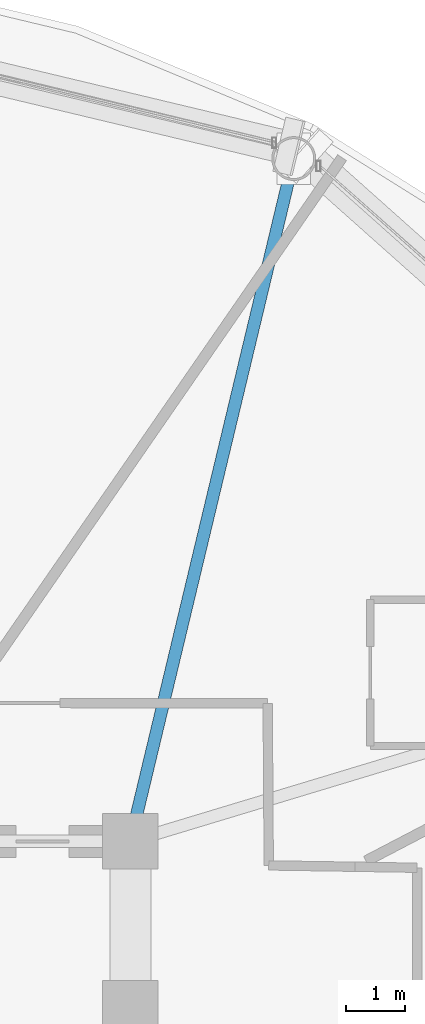
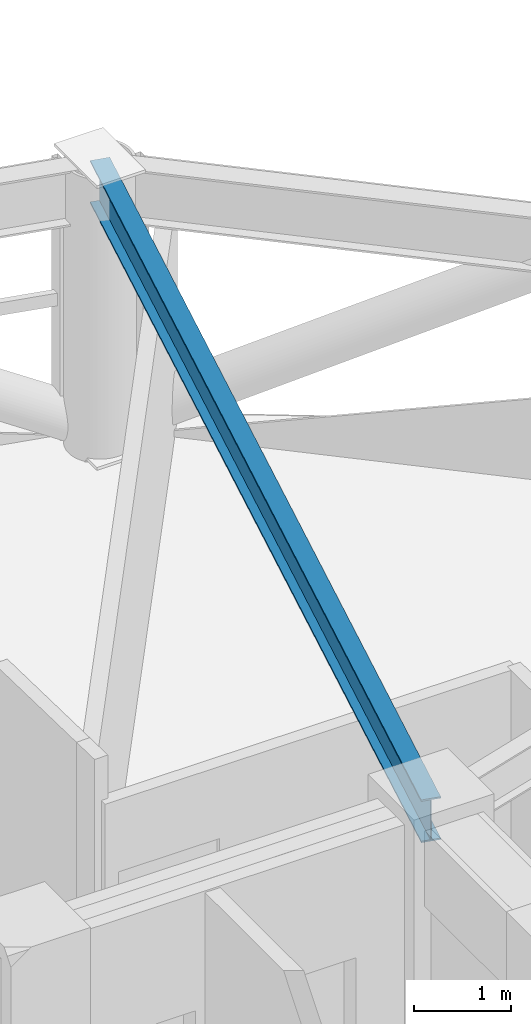
# One storey, part 17 of 29: 1 beam.
"""IFC4 building model written with IfcOpenShell, lengths in metres."""

from ifc_helpers import new_model, si_unit, direction, frame, origin, origin_2d, place, context, subcontext, project, spatial, i_section, extrude, material, material_profile, profile_set, type_object, element, save


model = new_model("IFC4")

# Units and contexts
model_context = context("Model", 3, precision=1e-05, world=origin(), true_north=direction((0.0, 1.0)))
body_context = subcontext(model_context, "Body", "Model", "MODEL_VIEW")
ifc_project = project(units=[si_unit("LENGTHUNIT", "METRE"), si_unit("AREAUNIT", "SQUARE_METRE"), si_unit("VOLUMEUNIT", "CUBIC_METRE"), si_unit("PLANEANGLEUNIT", "RADIAN"), si_unit("MASSUNIT", "GRAM", prefix="KILO")], contexts=[model_context])

# Site, building, storey
site_placement = place(None, origin())
site = spatial("IfcSite", under=ifc_project, at=site_placement, CompositionType="ELEMENT")
building_placement = place(site_placement, origin())
building = spatial("IfcBuilding", under=site, at=building_placement, Name="Vantalir Tower", CompositionType="ELEMENT")
storey_placement = place(building_placement, frame((0.0, 0.0, 149.699951171875)))
storey = spatial("IfcBuildingStorey", under=building, at=storey_placement, Name="L37", CompositionType="ELEMENT", Elevation=149.699951171875)

# Beam
ifc_material = material(Name="Steel S355", Category="steel")
ifc_material_profile = material_profile(ifc_material, i_section(OverallWidth=0.2109375, OverallDepth=0.5390625, WebThickness=0.01171875, FlangeThickness=0.018798828125, at=origin_2d()), Name="Steel S355")
ifc_profile_set = profile_set([ifc_material_profile], Name="Steel S355")
beam_type = type_object("IfcBeamType", Name="BM-RB-533x210", PredefinedType="BEAM", material=ifc_profile_set)
beam_placement = place(storey_placement, frame((43.89208984375, 44.112060546875, 3.301025390625), z_axis=(-0.232827745241, -0.972517990089, 0.0), x_axis=(0.972517990089, -0.232827745241, 0.0)))
element("IfcBeam", 1, at=beam_placement, inside=storey, type_object=beam_type, Name="L37 Radial Floor Beam 03", PredefinedType="BEAM", context=body_context, shape_type="SweptSolid", body=[
    extrude(i_section(OverallWidth=0.2109375, OverallDepth=0.5390625, WebThickness=0.01171875, FlangeThickness=0.018798828125, at=origin_2d()), origin(), (0.0, 0.0, 1.0), 11.99169921875),
])

save(model, "model.ifc")
